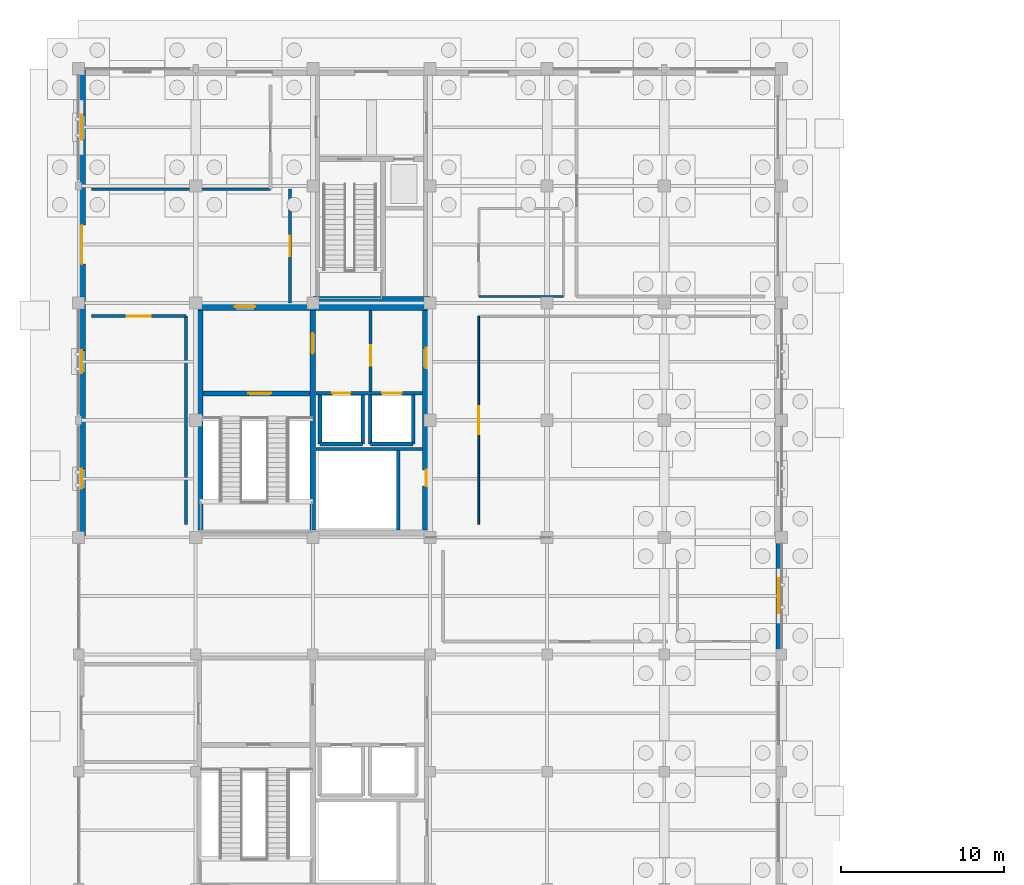
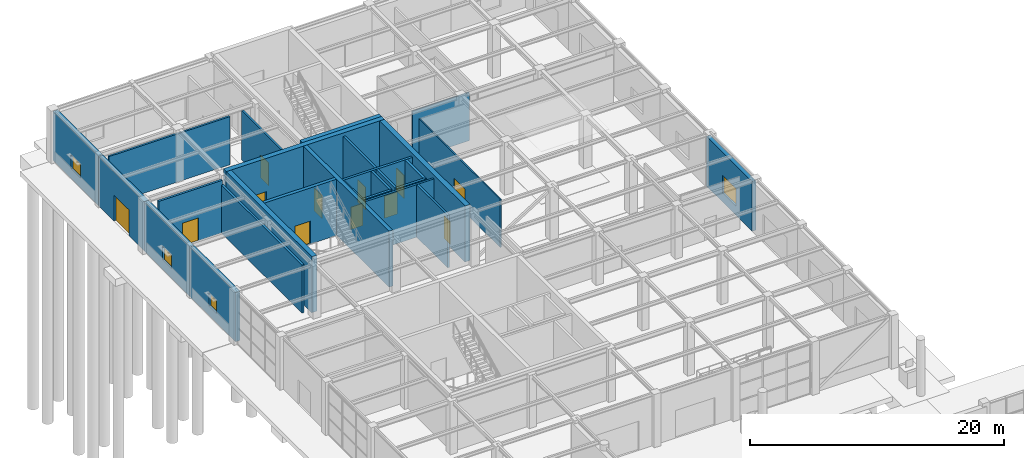
# One storey, part 60 of 75: 27 walls, 12 doors, 4 windows, 16 openings.
"""IFC4 building model written with IfcOpenShell, lengths in metres."""

from ifc_helpers import new_model, si_unit, direction, frame, frame_2d, origin, place, context, subcontext, project, spatial, rectangle, extrude, material, layer, layer_set, type_object, element, fill, save


model = new_model("IFC4")

# Units and contexts
model_context = context("Model", 3, precision=1e-05, world=origin(), true_north=direction((0.0, 1.0)))
body_context = subcontext(model_context, "Body", "Model", "MODEL_VIEW")
ifc_project = project(units=[si_unit("LENGTHUNIT", "METRE"), si_unit("AREAUNIT", "SQUARE_METRE"), si_unit("VOLUMEUNIT", "CUBIC_METRE"), si_unit("PLANEANGLEUNIT", "RADIAN"), si_unit("MASSUNIT", "GRAM", prefix="KILO")], contexts=[model_context])

# Site, building, storey
site_placement = place(None, origin())
site = spatial("IfcSite", under=ifc_project, at=site_placement, CompositionType="ELEMENT")
building_placement = place(site_placement, origin())
building = spatial("IfcBuilding", under=site, at=building_placement, Name="Leyfeld Transit Interchange", CompositionType="ELEMENT")
storey_placement = place(building_placement, origin())
storey = spatial("IfcBuildingStorey", under=building, at=storey_placement, Name="L00", CompositionType="ELEMENT", Elevation=0.0)

# Wall, opening, window
ifc_material_1 = material(Name="Clinker brick masonry - Insulated", Category="masonry")
ifc_layer_1 = layer(ifc_material_1, 0.340087890625, Name="Clinker brick masonry - Insulated")
ifc_layer_set_1 = layer_set([ifc_layer_1], Name="Clinker brick masonry - Insulated")
wall_type_1 = type_object("IfcWallType", Name="WL-EXT-BRK-340", PredefinedType="SOLIDWALL", material=ifc_layer_set_1)
wall_1_placement = place(storey_placement, frame((43.030029296875, 93.60009765625, 0.0), z_axis=(0.0, 0.0, 1.0), x_axis=(0.0, -1.0, 0.0)))
wall_1 = element("IfcWall", 1, at=wall_1_placement, inside=storey, type_object=wall_type_1, Name="External Facade Wall EW-L00-018", PredefinedType="SOLIDWALL", context=body_context, shape_type="SweptSolid", body=[
    extrude(rectangle(XDim=7.2001953125, YDim=0.340087890625, at=frame_2d((3.60009765625, 0.0))), origin(), (0.0, 0.0, 1.0), 4.7900390625),
])
opening_1_placement = place(wall_1_placement, frame((2.52490234375, 0.0, 0.89990234375)))
opening_1 = element("IfcOpeningElement", 2, at=opening_1_placement, cuts=wall_1, Name="Opening WU-10", PredefinedType="OPENING", context=body_context, shape_type="SweptSolid", body=[
    extrude(rectangle(XDim=2.14990234375, YDim=1.64990234375, at=frame_2d((1.074951171875, 0.824951171875))), frame((0.0, 0.179931640625, 0.0), z_axis=(0.0, -1.0, 0.0), x_axis=(1.0, 0.0, 0.0)), (0.0, 0.0, 1.0), 0.360107421875),
])
ifc_material_2 = material(Name="Triple low-E insulated glazing", Category="glass")
window_type_1 = type_object("IfcWindowType", Name="WIN-UNQ-10", PartitioningType="SINGLE_PANEL", PredefinedType="WINDOW", material=ifc_material_2)
window_1_placement = place(opening_1_placement, origin())
window_1 = element("IfcWindow", 3, at=window_1_placement, inside=storey, type_object=window_type_1, Name="Facade Window L00 010", OverallHeight=1.64990234375, OverallWidth=2.14990234375, PartitioningType="SINGLE_PANEL", PredefinedType="WINDOW", context=body_context, shape_type="SweptSolid", body=[
    extrude(rectangle(XDim=2.14990234375, YDim=1.64990234375, at=frame_2d((1.074951171875, 0.824951171875))), frame((0.0, 0.030029296875, 0.0), z_axis=(0.0, -1.0, 0.0), x_axis=(1.0, 0.0, 0.0)), (0.0, 0.0, 1.0), 0.06005859375),
])
fill(opening_1, window_1)

ifc_layer_2 = layer(ifc_material_1, 0.419921875, Name="Clinker brick masonry - Insulated")
ifc_layer_set_2 = layer_set([ifc_layer_2], Name="Clinker brick masonry - Insulated")
wall_type_2 = type_object("IfcWallType", Name="WL-EXT-BRK-420", PredefinedType="SOLIDWALL", material=ifc_layer_set_2)
wall_2_placement = place(storey_placement, frame((0.2099609375, 93.60009765625, 0.0), z_axis=(0.0, 0.0, 1.0), x_axis=(0.0, 1.0, 0.0)))
wall_2 = element("IfcWall", 4, at=wall_2_placement, inside=storey, type_object=wall_type_2, Name="External Facade Wall EW-L00-005", PredefinedType="SOLIDWALL", context=body_context, shape_type="SweptSolid", body=[
    extrude(rectangle(XDim=7.199951171875, YDim=0.419921875, at=frame_2d((3.60009765625, 0.0))), origin(), (0.0, 0.0, 1.0), 4.75),
])
opening_2_placement = place(wall_2_placement, frame((2.97509765625, 0.0, 0.89990234375)))
opening_2 = element("IfcOpeningElement", 5, at=opening_2_placement, cuts=wall_2, Name="Opening WU-02", PredefinedType="OPENING", context=body_context, shape_type="SweptSolid", body=[
    extrude(rectangle(XDim=1.25, YDim=1.25, at=frame_2d((0.625, 0.625))), frame((0.0, 0.219970703125, 0.0), z_axis=(0.0, -1.0, 0.0), x_axis=(1.0, 0.0, 0.0)), (0.0, 0.0, 1.0), 0.43994140625),
])
window_type_2 = type_object("IfcWindowType", Name="WIN-UNQ-02", PartitioningType="SINGLE_PANEL", PredefinedType="WINDOW", material=ifc_material_2)
window_2_placement = place(opening_2_placement, origin())
window_2 = element("IfcWindow", 6, at=window_2_placement, inside=storey, type_object=window_type_2, Name="Facade Window L00 002", OverallHeight=1.25, OverallWidth=1.25, PartitioningType="SINGLE_PANEL", PredefinedType="WINDOW", context=body_context, shape_type="SweptSolid", body=[
    extrude(rectangle(XDim=1.25, YDim=1.25, at=frame_2d((0.625, 0.625))), frame((0.0, 0.030029296875, 0.0), z_axis=(0.0, -1.0, 0.0), x_axis=(1.0, 0.0, 0.0)), (0.0, 0.0, 1.0), 0.06005859375),
])
fill(opening_2, window_2)

wall_3_placement = place(storey_placement, frame((0.2099609375, 100.800048828125, 0.0), z_axis=(0.0, 0.0, 1.0), x_axis=(0.0, 1.0, 0.0)))
wall_3 = element("IfcWall", 7, at=wall_3_placement, inside=storey, type_object=wall_type_2, Name="External Facade Wall EW-L00-006", PredefinedType="SOLIDWALL", context=body_context, shape_type="SweptSolid", body=[
    extrude(rectangle(XDim=7.199951171875, YDim=0.419921875, at=frame_2d((3.60009765625, 0.0))), origin(), (0.0, 0.0, 1.0), 4.75),
])
opening_3_placement = place(wall_3_placement, frame((2.89990234375, 0.0, 0.89990234375)))
opening_3 = element("IfcOpeningElement", 8, at=opening_3_placement, cuts=wall_3, Name="Opening WU-03", PredefinedType="OPENING", context=body_context, shape_type="SweptSolid", body=[
    extrude(rectangle(XDim=1.39990234375, YDim=1.300048828125, at=frame_2d((0.699951171875, 0.64990234375))), frame((0.0, 0.219970703125, 0.0), z_axis=(0.0, -1.0, 0.0), x_axis=(1.0, 0.0, 0.0)), (0.0, 0.0, 1.0), 0.43994140625),
])
window_type_3 = type_object("IfcWindowType", Name="WIN-UNQ-03", PartitioningType="SINGLE_PANEL", PredefinedType="WINDOW", material=ifc_material_2)
window_3_placement = place(opening_3_placement, origin())
window_3 = element("IfcWindow", 9, at=window_3_placement, inside=storey, type_object=window_type_3, Name="Facade Window L00 003", OverallHeight=1.300048828125, OverallWidth=1.39990234375, PartitioningType="SINGLE_PANEL", PredefinedType="WINDOW", context=body_context, shape_type="SweptSolid", body=[
    extrude(rectangle(XDim=1.39990234375, YDim=1.300048828125, at=frame_2d((0.699951171875, 0.64990234375))), frame((0.0, 0.030029296875, 0.0), z_axis=(0.0, -1.0, 0.0), x_axis=(1.0, 0.0, 0.0)), (0.0, 0.0, 1.0), 0.06005859375),
])
fill(opening_3, window_3)

# Wall, opening, door
wall_4_placement = place(storey_placement, frame((0.2099609375, 108.0, 0.0), z_axis=(0.0, 0.0, 1.0), x_axis=(0.0, 1.0, 0.0)))
wall_4 = element("IfcWall", 10, at=wall_4_placement, inside=storey, type_object=wall_type_2, Name="External Facade Wall EW-L00-007", PredefinedType="SOLIDWALL", context=body_context, shape_type="SweptSolid", body=[
    extrude(rectangle(XDim=7.199951171875, YDim=0.419921875, at=frame_2d((3.60009765625, 0.0))), origin(), (0.0, 0.0, 1.0), 4.75),
])
opening_4_placement = place(wall_4_placement, frame((2.39990234375, 0.0, 0.0)))
opening_4 = element("IfcOpeningElement", 11, at=opening_4_placement, cuts=wall_4, Name="Opening DE-01", PredefinedType="OPENING", context=body_context, shape_type="SweptSolid", body=[
    extrude(rectangle(XDim=2.39990234375, YDim=2.5, at=frame_2d((1.199951171875, 1.25))), frame((0.0, 0.219970703125, 0.0), z_axis=(0.0, -1.0, 0.0), x_axis=(1.0, 0.0, 0.0)), (0.0, 0.0, 1.0), 0.43994140625),
])
ifc_material_3 = material(Name="Anodised aluminium EN AW-6060 T66", Category="aluminium")
door_type_1 = type_object("IfcDoorType", Name="DR-EXT-DBL-2400x2500", OperationType="NOTDEFINED", PredefinedType="DOOR", material=ifc_material_3)
door_1_placement = place(opening_4_placement, origin())
door_1 = element("IfcDoor", 12, at=door_1_placement, inside=storey, type_object=door_type_1, Name="DR-EXT-L00-003", OperationType="DOUBLE_DOOR_SINGLE_SWING", OverallHeight=2.5, OverallWidth=2.39990234375, PredefinedType="DOOR", context=body_context, shape_type="SweptSolid", body=[
    extrude(rectangle(XDim=2.39990234375, YDim=2.5, at=frame_2d((1.199951171875, 1.25))), frame((0.0, 0.02490234375, 0.0), z_axis=(0.0, -1.0, 0.0), x_axis=(1.0, 0.0, 0.0)), (0.0, 0.0, 1.0), 0.050048828125),
])
fill(opening_4, door_1)

# Wall, opening, window
wall_5_placement = place(storey_placement, frame((0.2099609375, 115.199951171875, 0.0), z_axis=(0.0, 0.0, 1.0), x_axis=(0.0, 1.0, 0.0)))
wall_5 = element("IfcWall", 13, at=wall_5_placement, inside=storey, type_object=wall_type_2, Name="External Facade Wall EW-L00-008", PredefinedType="SOLIDWALL", context=body_context, shape_type="SweptSolid", body=[
    extrude(rectangle(XDim=7.199951171875, YDim=0.419921875, at=frame_2d((3.60009765625, 0.0))), origin(), (0.0, 0.0, 1.0), 4.75),
])
opening_5_placement = place(wall_5_placement, frame((2.824951171875, 0.0, 0.89990234375)))
opening_5 = element("IfcOpeningElement", 14, at=opening_5_placement, cuts=wall_5, Name="Opening WU-04", PredefinedType="OPENING", context=body_context, shape_type="SweptSolid", body=[
    extrude(rectangle(XDim=1.550048828125, YDim=1.35009765625, at=frame_2d((0.77490234375, 0.675048828125))), frame((0.0, 0.219970703125, 0.0), z_axis=(0.0, -1.0, 0.0), x_axis=(1.0, 0.0, 0.0)), (0.0, 0.0, 1.0), 0.43994140625),
])
window_type_4 = type_object("IfcWindowType", Name="WIN-UNQ-04", PartitioningType="SINGLE_PANEL", PredefinedType="WINDOW", material=ifc_material_2)
window_4_placement = place(opening_5_placement, origin())
window_4 = element("IfcWindow", 15, at=window_4_placement, inside=storey, type_object=window_type_4, Name="Facade Window L00 004", OverallHeight=1.35009765625, OverallWidth=1.550048828125, PartitioningType="SINGLE_PANEL", PredefinedType="WINDOW", context=body_context, shape_type="SweptSolid", body=[
    extrude(rectangle(XDim=1.550048828125, YDim=1.35009765625, at=frame_2d((0.77490234375, 0.675048828125))), frame((0.0, 0.030029296875, 0.0), z_axis=(0.0, -1.0, 0.0), x_axis=(1.0, 0.0, 0.0)), (0.0, 0.0, 1.0), 0.06005859375),
])
fill(opening_5, window_4)

# Wall, opening, door
ifc_material_4 = material(Name="Calcium silicate masonry", Category="masonry")
ifc_layer_3 = layer(ifc_material_4, 0.175048828125, Name="Calcium silicate masonry")
ifc_layer_set_3 = layer_set([ifc_layer_3], Name="Calcium silicate masonry")
wall_type_3 = type_object("IfcWallType", Name="WL-INT-COR-175", PredefinedType="PARTITIONING", material=ifc_layer_set_3)
wall_6_placement = place(storey_placement, frame((13.0, 115.0, 0.0), z_axis=(0.0, 0.0, 1.0), x_axis=(0.0, -1.0, 0.0)))
wall_6 = element("IfcWall", 16, at=wall_6_placement, inside=storey, type_object=wall_type_3, Name="Interior Partition L00-LOB-V5 E", PredefinedType="PARTITIONING", context=body_context, shape_type="SweptSolid", body=[
    extrude(rectangle(XDim=7.0, YDim=0.175048828125, at=frame_2d((3.5, 0.0))), origin(), (0.0, 0.0, 1.0), 4.75),
])
opening_6_placement = place(wall_6_placement, frame((2.875, 0.0, 0.0)))
opening_6 = element("IfcOpeningElement", 17, at=opening_6_placement, cuts=wall_6, Name="Opening DI-02", PredefinedType="OPENING", context=body_context, shape_type="SweptSolid", body=[
    extrude(rectangle(XDim=1.25, YDim=2.199951171875, at=frame_2d((0.625, 1.10009765625))), frame((0.0, 0.097412109375, 0.0), z_axis=(0.0, -1.0, 0.0), x_axis=(1.0, 0.0, 0.0)), (0.0, 0.0, 1.0), 0.195068359375),
])
ifc_material_5 = material(Name="Galvanised steel S275JR", Category="steel")
door_type_2 = type_object("IfcDoorType", Name="DR-FFL-1250x2200", OperationType="NOTDEFINED", PredefinedType="DOOR", material=ifc_material_5)
door_2_placement = place(opening_6_placement, origin())
door_2 = element("IfcDoor", 18, at=door_2_placement, inside=storey, type_object=door_type_2, Name="DR-L00-LOB-V5", OperationType="SINGLE_SWING_LEFT", OverallHeight=2.199951171875, OverallWidth=1.25, PredefinedType="DOOR", context=body_context, shape_type="SweptSolid", body=[
    extrude(rectangle(XDim=1.25, YDim=2.199951171875, at=frame_2d((0.625, 1.10009765625))), frame((0.0, 0.02490234375, 0.0), z_axis=(0.0, -1.0, 0.0), x_axis=(1.0, 0.0, 0.0)), (0.0, 0.0, 1.0), 0.050048828125),
])
fill(opening_6, door_2)

# Wall
wall_7_placement = place(storey_placement, frame((11.800048828125, 115.0, 0.0), z_axis=(0.0, 0.0, 1.0), x_axis=(-1.0, 0.0, 0.0)))
element("IfcWall", 19, at=wall_7_placement, inside=storey, type_object=wall_type_3, Name="Interior Partition L00-MED-01 S", PredefinedType="PARTITIONING", context=body_context, shape_type="SweptSolid", body=[
    extrude(rectangle(XDim=11.0, YDim=0.175048828125, at=frame_2d((5.5, 0.0))), origin(), (0.0, 0.0, 1.0), 4.6298828125),
])

# Wall, opening, door
ifc_material_6 = material(Name="Concrete C35/45", Category="concrete")
ifc_layer_4 = layer(ifc_material_6, 0.199951171875, Name="Concrete C35/45")
ifc_layer_set_4 = layer_set([ifc_layer_4], Name="Concrete C35/45")
wall_type_4 = type_object("IfcWallType", Name="WL-INT-FFL-200", PredefinedType="PARTITIONING", material=ifc_layer_set_4)
wall_8_placement = place(storey_placement, frame((17.949951171875, 102.56005859375, 0.0), z_axis=(0.0, 0.0, 1.0), x_axis=(0.0, 1.0, 0.0)))
wall_8 = element("IfcWall", 20, at=wall_8_placement, inside=storey, type_object=wall_type_4, Name="Core K1 Firefighting Lobby Compartment Wall L00", PredefinedType="PARTITIONING", context=body_context, shape_type="SweptSolid", body=[
    extrude(rectangle(XDim=4.989990234375, YDim=0.199951171875, at=frame_2d((2.4951171875, 0.0))), origin(), (0.0, 0.0, 1.0), 5.050048828125),
])
opening_7_placement = place(wall_8_placement, frame((1.60009765625, 0.0, 0.0)))
opening_7 = element("IfcOpeningElement", 21, at=opening_7_placement, cuts=wall_8, Name="Opening DI-02", PredefinedType="OPENING", context=body_context, shape_type="SweptSolid", body=[
    extrude(rectangle(XDim=1.25, YDim=2.199951171875, at=frame_2d((0.625, 1.10009765625))), frame((0.0, 0.10986328125, 0.0), z_axis=(0.0, -1.0, 0.0), x_axis=(1.0, 0.0, 0.0)), (0.0, 0.0, 1.0), 0.219970703125),
])
door_3_placement = place(opening_7_placement, origin())
door_3 = element("IfcDoor", 22, at=door_3_placement, inside=storey, type_object=door_type_2, Name="DR-FFL-CON-K1-L00", OperationType="SINGLE_SWING_RIGHT", OverallHeight=2.199951171875, OverallWidth=1.25, PredefinedType="DOOR", context=body_context, shape_type="SweptSolid", body=[
    extrude(rectangle(XDim=1.25, YDim=2.199951171875, at=frame_2d((0.625, 1.10009765625))), frame((0.0, 0.02490234375, 0.0), z_axis=(0.0, -1.0, 0.0), x_axis=(1.0, 0.0, 0.0)), (0.0, 0.0, 1.0), 0.050048828125),
])
fill(opening_7, door_3)

wall_9_placement = place(storey_placement, frame((0.800048828125, 107.199951171875, 0.0), z_axis=(0.0, 0.0, 1.0), x_axis=(1.0, 0.0, 0.0)))
wall_9 = element("IfcWall", 23, at=wall_9_placement, inside=storey, type_object=wall_type_4, Name="Interior Partition L00-FCC-01 N", PredefinedType="PARTITIONING", context=body_context, shape_type="SweptSolid", body=[
    extrude(rectangle(XDim=5.800048828125, YDim=0.199951171875, at=frame_2d((2.89990234375, 0.0))), origin(), (0.0, 0.0, 1.0), 5.050048828125),
])
opening_8_placement = place(wall_9_placement, frame((2.175048828125, 0.0, 0.0)))
opening_8 = element("IfcOpeningElement", 24, at=opening_8_placement, cuts=wall_9, Name="Opening DV-06", PredefinedType="OPENING", context=body_context, shape_type="SweptSolid", body=[
    extrude(rectangle(XDim=1.449951171875, YDim=2.199951171875, at=frame_2d((0.72509765625, 1.10009765625))), frame((0.0, 0.10986328125, 0.0), z_axis=(0.0, -1.0, 0.0), x_axis=(1.0, 0.0, 0.0)), (0.0, 0.0, 1.0), 0.219970703125),
])
ifc_material_7 = material(Name="Austrian larch glulam GL28h", Category="wood")
door_type_3 = type_object("IfcDoorType", Name="DR-VAR-06", OperationType="NOTDEFINED", PredefinedType="DOOR", material=ifc_material_7)
door_4_placement = place(opening_8_placement, origin())
door_4 = element("IfcDoor", 25, at=door_4_placement, inside=storey, type_object=door_type_3, Name="DR-L00-FCC-01", OperationType="SINGLE_SWING_RIGHT", OverallHeight=2.199951171875, OverallWidth=1.449951171875, PredefinedType="DOOR", context=body_context, shape_type="SweptSolid", body=[
    extrude(rectangle(XDim=1.449951171875, YDim=2.199951171875, at=frame_2d((0.72509765625, 1.10009765625))), frame((0.0, 0.02490234375, 0.0), z_axis=(0.0, -1.0, 0.0), x_axis=(1.0, 0.0, 0.0)), (0.0, 0.0, 1.0), 0.050048828125),
])
fill(opening_8, door_4)

# Wall
wall_10_placement = place(storey_placement, frame((6.60009765625, 107.199951171875, 0.0), z_axis=(0.0, 0.0, 1.0), x_axis=(0.0, -1.0, 0.0)))
element("IfcWall", 26, at=wall_10_placement, inside=storey, type_object=wall_type_4, Name="Interior Partition L00-FCC-01 E", PredefinedType="PARTITIONING", context=body_context, shape_type="SweptSolid", body=[
    extrude(rectangle(XDim=12.800048828125, YDim=0.199951171875, at=frame_2d((6.39990234375, 0.0))), origin(), (0.0, 0.0, 1.0), 4.6298828125),
])

# Wall, opening, door
ifc_material_8 = material(Name="Gypsum plasterboard acoustic stud", Category="gypsum")
ifc_layer_5 = layer(ifc_material_8, 0.114990234375, Name="Gypsum plasterboard acoustic stud")
ifc_layer_set_5 = layer_set([ifc_layer_5], Name="Gypsum plasterboard acoustic stud")
wall_type_5 = type_object("IfcWallType", Name="WL-INT-OFF-115", PredefinedType="PARTITIONING", material=ifc_layer_set_5)
wall_11_placement = place(storey_placement, frame((24.60009765625, 94.39990234375, 0.0), z_axis=(0.0, 0.0, 1.0), x_axis=(0.0, 1.0, 0.0)))
wall_11 = element("IfcWall", 27, at=wall_11_placement, inside=storey, type_object=wall_type_5, Name="Interior Partition L00-DRV-01 W", PredefinedType="PARTITIONING", context=body_context, shape_type="SweptSolid", body=[
    extrude(rectangle(XDim=12.800048828125, YDim=0.114990234375, at=frame_2d((6.39990234375, 0.0))), origin(), (0.0, 0.0, 1.0), 4.6298828125),
])
opening_9_placement = place(wall_11_placement, frame((5.52490234375, 0.0, 0.0)))
opening_9 = element("IfcOpeningElement", 28, at=opening_9_placement, cuts=wall_11, Name="Opening DV-08", PredefinedType="OPENING", context=body_context, shape_type="SweptSolid", body=[
    extrude(rectangle(XDim=1.75, YDim=2.25, at=frame_2d((0.875, 1.125))), frame((0.0, 0.0673828125, 0.0), z_axis=(0.0, -1.0, 0.0), x_axis=(1.0, 0.0, 0.0)), (0.0, 0.0, 1.0), 0.135009765625),
])
door_type_4 = type_object("IfcDoorType", Name="DR-VAR-08", OperationType="NOTDEFINED", PredefinedType="DOOR", material=ifc_material_7)
door_5_placement = place(opening_9_placement, origin())
door_5 = element("IfcDoor", 29, at=door_5_placement, inside=storey, type_object=door_type_4, Name="DR-L00-DRV-01", OperationType="DOUBLE_DOOR_SINGLE_SWING", OverallHeight=2.25, OverallWidth=1.75, PredefinedType="DOOR", context=body_context, shape_type="SweptSolid", body=[
    extrude(rectangle(XDim=1.75, YDim=2.25, at=frame_2d((0.875, 1.125))), frame((0.0, 0.02490234375, 0.0), z_axis=(0.0, -1.0, 0.0), x_axis=(1.0, 0.0, 0.0)), (0.0, 0.0, 1.0), 0.050048828125),
])
fill(opening_9, door_5)

# Walls
ifc_layer_6 = layer(ifc_material_4, 0.18994140625, Name="Calcium silicate masonry")
ifc_layer_set_6 = layer_set([ifc_layer_6], Name="Calcium silicate masonry")
wall_type_6 = type_object("IfcWallType", Name="WL-INT-PLT-190", PredefinedType="PARTITIONING", material=ifc_layer_set_6)
wall_12_placement = place(storey_placement, frame((14.580078125, 99.02001953125, 0.0), z_axis=(0.0, 0.0, 1.0), x_axis=(1.0, 0.0, 0.0)))
element("IfcWall", 30, at=wall_12_placement, inside=storey, type_object=wall_type_6, Name="Core K1 Riser Compartment Wall L00", PredefinedType="PARTITIONING", context=body_context, shape_type="SweptSolid", body=[
    extrude(rectangle(XDim=6.56982421875, YDim=0.18994140625, at=frame_2d((3.284912109375, 0.0))), origin(), (0.0, 0.0, 1.0), 5.050048828125),
])
wall_13_placement = place(storey_placement, frame((19.64990234375, 94.050048828125, 0.0), z_axis=(0.0, 0.0, 1.0), x_axis=(0.0, 1.0, 0.0)))
element("IfcWall", 31, at=wall_13_placement, inside=storey, type_object=wall_type_6, Name="Core K1 Riser Shaft East Wall L00", PredefinedType="PARTITIONING", context=body_context, shape_type="SweptSolid", body=[
    extrude(rectangle(XDim=4.8798828125, YDim=0.18994140625, at=frame_2d((2.43994140625, 0.0))), origin(), (0.0, 0.0, 1.0), 5.050048828125),
])

# Wall, openings, doors
ifc_layer_7 = layer(ifc_material_6, 0.219970703125, Name="Concrete C35/45")
ifc_layer_set_7 = layer_set([ifc_layer_7], Name="Concrete C35/45")
wall_type_7 = type_object("IfcWallType", Name="WL-INT-SHF-220", PredefinedType="PARTITIONING", material=ifc_layer_set_7)
wall_14_placement = place(storey_placement, frame((14.580078125, 102.449951171875, 0.0), z_axis=(0.0, 0.0, 1.0), x_axis=(1.0, 0.0, 0.0)))
wall_14 = element("IfcWall", 32, at=wall_14_placement, inside=storey, type_object=wall_type_7, Name="Core K1 Lift Shaft Front Wall L00", PredefinedType="PARTITIONING", context=body_context, shape_type="SweptSolid", body=[
    extrude(rectangle(XDim=6.56982421875, YDim=0.219970703125, at=frame_2d((3.284912109375, 0.0))), origin(), (0.0, 0.0, 1.0), 5.050048828125),
])
opening_10_placement = place(wall_14_placement, frame((1.02001953125, 0.0, 0.0)))
opening_10 = element("IfcOpeningElement", 33, at=opening_10_placement, cuts=wall_14, Name="Opening LD-01", PredefinedType="OPENING", context=body_context, shape_type="SweptSolid", body=[
    extrude(rectangle(XDim=1.10009765625, YDim=2.14990234375, at=frame_2d((0.550048828125, 1.074951171875))), frame((0.0, 0.119873046875, 0.0), z_axis=(0.0, -1.0, 0.0), x_axis=(1.0, 0.0, 0.0)), (0.0, 0.0, 1.0), 0.239990234375),
])
opening_11_placement = place(wall_14_placement, frame((4.070068359375, 0.0, 0.0)))
opening_11 = element("IfcOpeningElement", 34, at=opening_11_placement, cuts=wall_14, Name="Opening LD-02", PredefinedType="OPENING", context=body_context, shape_type="SweptSolid", body=[
    extrude(rectangle(XDim=1.199951171875, YDim=2.14990234375, at=frame_2d((0.60009765625, 1.074951171875))), frame((0.0, 0.119873046875, 0.0), z_axis=(0.0, -1.0, 0.0), x_axis=(1.0, 0.0, 0.0)), (0.0, 0.0, 1.0), 0.239990234375),
])
ifc_material_9 = material(Name="Stainless steel EN 1.4404", Category="steel")
door_type_5 = type_object("IfcDoorType", Name="DR-LD-FFL-1100x2150", OperationType="NOTDEFINED", PredefinedType="DOOR", material=ifc_material_9)
door_6_placement = place(opening_10_placement, origin())
door_6 = element("IfcDoor", 35, at=door_6_placement, inside=storey, type_object=door_type_5, Name="LD-FFL-1-L00", OperationType="DOUBLE_DOOR_SLIDING", OverallHeight=2.14990234375, OverallWidth=1.10009765625, PredefinedType="DOOR", context=body_context, shape_type="SweptSolid", body=[
    extrude(rectangle(XDim=1.10009765625, YDim=2.14990234375, at=frame_2d((0.550048828125, 1.074951171875))), frame((0.0, 0.02490234375, 0.0), z_axis=(0.0, -1.0, 0.0), x_axis=(1.0, 0.0, 0.0)), (0.0, 0.0, 1.0), 0.050048828125),
])
fill(opening_10, door_6)
door_type_6 = type_object("IfcDoorType", Name="DR-LD-PAS-1200x2150", OperationType="NOTDEFINED", PredefinedType="DOOR", material=ifc_material_9)
door_7_placement = place(opening_11_placement, origin())
door_7 = element("IfcDoor", 36, at=door_7_placement, inside=storey, type_object=door_type_6, Name="LD-PL-1-L00", OperationType="DOUBLE_DOOR_SLIDING", OverallHeight=2.14990234375, OverallWidth=1.199951171875, PredefinedType="DOOR", context=body_context, shape_type="SweptSolid", body=[
    extrude(rectangle(XDim=1.199951171875, YDim=2.14990234375, at=frame_2d((0.60009765625, 1.074951171875))), frame((0.0, 0.02490234375, 0.0), z_axis=(0.0, -1.0, 0.0), x_axis=(1.0, 0.0, 0.0)), (0.0, 0.0, 1.0), 0.050048828125),
])
fill(opening_11, door_7)

# Walls
wall_15_placement = place(storey_placement, frame((14.840087890625, 99.340087890625, 0.0), z_axis=(0.0, 0.0, 1.0), x_axis=(1.0, 0.0, 0.0)))
element("IfcWall", 37, at=wall_15_placement, inside=storey, type_object=wall_type_7, Name="Core K1 Lift FFL-1 Shaft Back Wall L00", PredefinedType="PARTITIONING", context=body_context, shape_type="SweptSolid", body=[
    extrude(rectangle(XDim=2.619873046875, YDim=0.219970703125, at=frame_2d((1.31005859375, 0.0))), origin(), (0.0, 0.0, 1.0), 5.050048828125),
])
for number, where, z_axis, x_axis, name in (
    (38, (14.840087890625, 99.340087890625, 0.0), (0.0, 0.0, 1.0), (0.0, 1.0, 0.0), "Core K1 Lift FFL-1 Shaft Wall W L00"),
    (39, (17.4599609375, 99.340087890625, 0.0), (0.0, 0.0, 1.0), (0.0, 1.0, 0.0), "Core K1 Lift FFL-1 Shaft Wall E L00"),
):
    element("IfcWall", number, at=place(storey_placement, frame(where, z_axis=z_axis, x_axis=x_axis)), inside=storey, type_object=wall_type_7, Name=name, PredefinedType="PARTITIONING", context=body_context, shape_type="SweptSolid", body=[
        extrude(rectangle(XDim=3.0, YDim=0.219970703125, at=frame_2d((1.5, 0.0))), origin(), (0.0, 0.0, 1.0), 5.050048828125),
    ])
wall_16_placement = place(storey_placement, frame((17.93994140625, 99.340087890625, 0.0), z_axis=(0.0, 0.0, 1.0), x_axis=(1.0, 0.0, 0.0)))
element("IfcWall", 40, at=wall_16_placement, inside=storey, type_object=wall_type_7, Name="Core K1 Lift PL-1 Shaft Back Wall L00", PredefinedType="PARTITIONING", context=body_context, shape_type="SweptSolid", body=[
    extrude(rectangle(XDim=2.6201171875, YDim=0.219970703125, at=frame_2d((1.31005859375, 0.0))), origin(), (0.0, 0.0, 1.0), 5.050048828125),
])
for number, where, z_axis, x_axis, name in (
    (41, (17.93994140625, 99.340087890625, 0.0), (0.0, 0.0, 1.0), (0.0, 1.0, 0.0), "Core K1 Lift PL-1 Shaft Wall W L00"),
    (42, (20.56005859375, 99.340087890625, 0.0), (0.0, 0.0, 1.0), (0.0, 1.0, 0.0), "Core K1 Lift PL-1 Shaft Wall E L00"),
):
    element("IfcWall", number, at=place(storey_placement, frame(where, z_axis=z_axis, x_axis=x_axis)), inside=storey, type_object=wall_type_7, Name=name, PredefinedType="PARTITIONING", context=body_context, shape_type="SweptSolid", body=[
        extrude(rectangle(XDim=3.0, YDim=0.219970703125, at=frame_2d((1.5, 0.0))), origin(), (0.0, 0.0, 1.0), 5.050048828125),
    ])
ifc_material_10 = material(Name="Autoclaved aerated blockwork G4", Category="masonry")
ifc_layer_8 = layer(ifc_material_10, 0.125, Name="Autoclaved aerated blockwork G4")
ifc_layer_set_8 = layer_set([ifc_layer_8], Name="Autoclaved aerated blockwork G4")
wall_type_8 = type_object("IfcWallType", Name="WL-INT-WC-125", PredefinedType="PARTITIONING", material=ifc_layer_set_8)
wall_17_placement = place(storey_placement, frame((29.800048828125, 108.39990234375, 0.0), z_axis=(0.0, 0.0, 1.0), x_axis=(-1.0, 0.0, 0.0)))
element("IfcWall", 43, at=wall_17_placement, inside=storey, type_object=wall_type_8, Name="Interior Partition L00-WCA-04 S", PredefinedType="PARTITIONING", context=body_context, shape_type="SweptSolid", body=[
    extrude(rectangle(XDim=5.199951171875, YDim=0.125, at=frame_2d((2.60009765625, 0.0))), origin(), (0.0, 0.0, 1.0), 4.6298828125),
])

# Wall, opening, door
ifc_layer_9 = layer(ifc_material_6, 0.300048828125, Name="Concrete C35/45")
ifc_layer_set_9 = layer_set([ifc_layer_9], Name="Concrete C35/45")
wall_type_9 = type_object("IfcWallType", Name="WL-SH-300", PredefinedType="SHEAR", material=ifc_layer_set_9)
wall_18_placement = place(storey_placement, frame((7.64990234375, 102.449951171875, 0.0), z_axis=(0.0, 0.0, 1.0), x_axis=(1.0, 0.0, 0.0)))
wall_18 = element("IfcWall", 44, at=wall_18_placement, inside=storey, type_object=wall_type_9, Name="Core K1 Shear Wall STRN L00", PredefinedType="SHEAR", context=body_context, shape_type="SweptSolid", body=[
    extrude(rectangle(XDim=6.5751953125, YDim=0.300048828125, at=frame_2d((3.28759765625, 0.0))), origin(), (0.0, 0.0, 1.0), 5.39990234375),
])
opening_12_placement = place(wall_18_placement, frame((2.78759765625, 0.0, 0.0)))
opening_12 = element("IfcOpeningElement", 45, at=opening_12_placement, cuts=wall_18, Name="Opening DI-01", PredefinedType="OPENING", context=body_context, shape_type="SweptSolid", body=[
    extrude(rectangle(XDim=1.39990234375, YDim=2.199951171875, at=frame_2d((0.699951171875, 1.10009765625))), frame((0.0, 0.159912109375, 0.0), z_axis=(0.0, -1.0, 0.0), x_axis=(1.0, 0.0, 0.0)), (0.0, 0.0, 1.0), 0.320068359375),
])
door_type_7 = type_object("IfcDoorType", Name="DR-STR-1400x2200", OperationType="NOTDEFINED", PredefinedType="DOOR", material=ifc_material_5)
door_8_placement = place(opening_12_placement, origin())
door_8 = element("IfcDoor", 46, at=door_8_placement, inside=storey, type_object=door_type_7, Name="DR-STR-INT-K1-L00", OperationType="SINGLE_SWING_LEFT", OverallHeight=2.199951171875, OverallWidth=1.39990234375, PredefinedType="DOOR", context=body_context, shape_type="SweptSolid", body=[
    extrude(rectangle(XDim=1.39990234375, YDim=2.199951171875, at=frame_2d((0.699951171875, 1.10009765625))), frame((0.0, 0.02490234375, 0.0), z_axis=(0.0, -1.0, 0.0), x_axis=(1.0, 0.0, 0.0)), (0.0, 0.0, 1.0), 0.050048828125),
])
fill(opening_12, door_8)

ifc_layer_10 = layer(ifc_material_6, 0.35009765625, Name="Concrete C35/45")
ifc_layer_set_10 = layer_set([ifc_layer_10], Name="Concrete C35/45")
wall_type_10 = type_object("IfcWallType", Name="WL-SH-350", PredefinedType="SHEAR", material=ifc_layer_set_10)
wall_19_placement = place(storey_placement, frame((14.39990234375, 107.550048828125, 0.0), z_axis=(0.0, 0.0, 1.0), x_axis=(0.0, -1.0, 0.0)))
wall_19 = element("IfcWall", 47, at=wall_19_placement, inside=storey, type_object=wall_type_10, Name="Core K1 Shear Wall MID L00", PredefinedType="SHEAR", context=body_context, shape_type="SweptSolid", body=[
    extrude(rectangle(XDim=13.5, YDim=0.35009765625, at=frame_2d((6.75, 0.0))), origin(), (0.0, 0.0, 1.0), 5.39990234375),
])
opening_13_placement = place(wall_19_placement, frame((1.39990234375, 0.0, 0.0)))
opening_13 = element("IfcOpeningElement", 48, at=opening_13_placement, cuts=wall_19, Name="Opening DI-02", PredefinedType="OPENING", context=body_context, shape_type="SweptSolid", body=[
    extrude(rectangle(XDim=1.25, YDim=2.199951171875, at=frame_2d((0.625, 1.10009765625))), frame((0.0, 0.18505859375, 0.0), z_axis=(0.0, -1.0, 0.0), x_axis=(1.0, 0.0, 0.0)), (0.0, 0.0, 1.0), 0.3701171875),
])
door_9_placement = place(opening_13_placement, origin())
door_9 = element("IfcDoor", 49, at=door_9_placement, inside=storey, type_object=door_type_2, Name="DR-CORE-MID-K1-L00", OperationType="SINGLE_SWING_RIGHT", OverallHeight=2.199951171875, OverallWidth=1.25, PredefinedType="DOOR", context=body_context, shape_type="SweptSolid", body=[
    extrude(rectangle(XDim=1.25, YDim=2.199951171875, at=frame_2d((0.625, 1.10009765625))), frame((0.0, 0.02490234375, 0.0), z_axis=(0.0, -1.0, 0.0), x_axis=(1.0, 0.0, 0.0)), (0.0, 0.0, 1.0), 0.050048828125),
])
fill(opening_13, door_9)

# Wall
ifc_layer_11 = layer(ifc_material_6, 0.39990234375, Name="Concrete C35/45")
ifc_layer_set_11 = layer_set([ifc_layer_11], Name="Concrete C35/45")
wall_type_11 = type_object("IfcWallType", Name="WL-SH-400", PredefinedType="SHEAR", material=ifc_layer_set_11)
wall_20_placement = place(storey_placement, frame((21.60009765625, 108.199951171875, 0.0), z_axis=(0.0, 0.0, 1.0), x_axis=(-1.0, 0.0, 0.0)))
element("IfcWall", 50, at=wall_20_placement, inside=storey, type_object=wall_type_11, Name="Core K2 Shear Wall S L00", PredefinedType="SHEAR", context=body_context, shape_type="SweptSolid", body=[
    extrude(rectangle(XDim=7.2001953125, YDim=0.39990234375, at=frame_2d((3.60009765625, 0.0))), origin(), (0.0, 0.0, 1.0), 5.39990234375),
])

# Wall, opening, door
ifc_layer_12 = layer(ifc_material_6, 0.449951171875, Name="Concrete C35/45")
ifc_layer_set_12 = layer_set([ifc_layer_12], Name="Concrete C35/45")
wall_type_12 = type_object("IfcWallType", Name="WL-SH-450", PredefinedType="SHEAR", material=ifc_layer_set_12)
wall_21_placement = place(storey_placement, frame((7.199951171875, 107.77490234375, 0.0), z_axis=(0.0, 0.0, 1.0), x_axis=(1.0, 0.0, 0.0)))
wall_21 = element("IfcWall", 51, at=wall_21_placement, inside=storey, type_object=wall_type_12, Name="Core K1 Shear Wall N L00", PredefinedType="SHEAR", context=body_context, shape_type="SweptSolid", body=[
    extrude(rectangle(XDim=14.400146484375, YDim=0.449951171875, at=frame_2d((7.2001953125, 0.0))), origin(), (0.0, 0.0, 1.0), 5.39990234375),
])
opening_14_placement = place(wall_21_placement, frame((2.39990234375, 0.0, 0.0)))
opening_14 = element("IfcOpeningElement", 52, at=opening_14_placement, cuts=wall_21, Name="Opening DI-02", PredefinedType="OPENING", context=body_context, shape_type="SweptSolid", body=[
    extrude(rectangle(XDim=1.25, YDim=2.199951171875, at=frame_2d((0.625, 1.10009765625))), frame((0.0, 0.23486328125, 0.0), z_axis=(0.0, -1.0, 0.0), x_axis=(1.0, 0.0, 0.0)), (0.0, 0.0, 1.0), 0.469970703125),
])
door_10_placement = place(opening_14_placement, origin())
door_10 = element("IfcDoor", 53, at=door_10_placement, inside=storey, type_object=door_type_2, Name="DR-CORE-OUT-K1-L00-N", OperationType="SINGLE_SWING_LEFT", OverallHeight=2.199951171875, OverallWidth=1.25, PredefinedType="DOOR", context=body_context, shape_type="SweptSolid", body=[
    extrude(rectangle(XDim=1.25, YDim=2.199951171875, at=frame_2d((0.625, 1.10009765625))), frame((0.0, 0.02490234375, 0.0), z_axis=(0.0, -1.0, 0.0), x_axis=(1.0, 0.0, 0.0)), (0.0, 0.0, 1.0), 0.050048828125),
])
fill(opening_14, door_10)

# Wall, openings, doors
wall_22_placement = place(storey_placement, frame((21.375, 107.550048828125, 0.0), z_axis=(0.0, 0.0, 1.0), x_axis=(0.0, -1.0, 0.0)))
wall_22 = element("IfcWall", 54, at=wall_22_placement, inside=storey, type_object=wall_type_12, Name="Core K1 Shear Wall E L00", PredefinedType="SHEAR", context=body_context, shape_type="SweptSolid", body=[
    extrude(rectangle(XDim=13.5, YDim=0.449951171875, at=frame_2d((6.75, 0.0))), origin(), (0.0, 0.0, 1.0), 5.39990234375),
])
opening_15_placement = place(wall_22_placement, frame((9.800048828125, 0.0, 0.0)))
opening_15 = element("IfcOpeningElement", 55, at=opening_15_placement, cuts=wall_22, Name="Opening DI-05", PredefinedType="OPENING", context=body_context, shape_type="SweptSolid", body=[
    extrude(rectangle(XDim=1.0, YDim=2.14990234375, at=frame_2d((0.5, 1.074951171875))), frame((0.0, 0.23486328125, 0.0), z_axis=(0.0, -1.0, 0.0), x_axis=(1.0, 0.0, 0.0)), (0.0, 0.0, 1.0), 0.469970703125),
])
opening_16_placement = place(wall_22_placement, frame((2.300048828125, 0.0, 0.0)))
opening_16 = element("IfcOpeningElement", 56, at=opening_16_placement, cuts=wall_22, Name="Opening DI-02", PredefinedType="OPENING", context=body_context, shape_type="SweptSolid", body=[
    extrude(rectangle(XDim=1.25, YDim=2.199951171875, at=frame_2d((0.625, 1.10009765625))), frame((0.0, 0.23486328125, 0.0), z_axis=(0.0, -1.0, 0.0), x_axis=(1.0, 0.0, 0.0)), (0.0, 0.0, 1.0), 0.469970703125),
])
door_11_placement = place(opening_16_placement, origin())
door_11 = element("IfcDoor", 57, at=door_11_placement, inside=storey, type_object=door_type_2, Name="DR-CORE-OUT-K1-L00-E", OperationType="SINGLE_SWING_RIGHT", OverallHeight=2.199951171875, OverallWidth=1.25, PredefinedType="DOOR", context=body_context, shape_type="SweptSolid", body=[
    extrude(rectangle(XDim=1.25, YDim=2.199951171875, at=frame_2d((0.625, 1.10009765625))), frame((0.0, 0.02490234375, 0.0), z_axis=(0.0, -1.0, 0.0), x_axis=(1.0, 0.0, 0.0)), (0.0, 0.0, 1.0), 0.050048828125),
])
fill(opening_16, door_11)
door_type_8 = type_object("IfcDoorType", Name="DR-OFF-1000x2150", OperationType="NOTDEFINED", PredefinedType="DOOR", material=ifc_material_7)
door_12_placement = place(opening_15_placement, origin())
door_12 = element("IfcDoor", 58, at=door_12_placement, inside=storey, type_object=door_type_8, Name="DR-RSR-K1-L00", OperationType="SINGLE_SWING_LEFT", OverallHeight=2.14990234375, OverallWidth=1.0, PredefinedType="DOOR", context=body_context, shape_type="SweptSolid", body=[
    extrude(rectangle(XDim=1.0, YDim=2.14990234375, at=frame_2d((0.5, 1.074951171875))), frame((0.0, 0.02490234375, 0.0), z_axis=(0.0, -1.0, 0.0), x_axis=(1.0, 0.0, 0.0)), (0.0, 0.0, 1.0), 0.050048828125),
])
fill(opening_15, door_12)

# Wall
wall_23_placement = place(storey_placement, frame((7.425048828125, 94.050048828125, 0.0), z_axis=(0.0, 0.0, 1.0), x_axis=(0.0, 1.0, 0.0)))
element("IfcWall", 59, at=wall_23_placement, inside=storey, type_object=wall_type_12, Name="Core K1 Shear Wall W L00", PredefinedType="SHEAR", context=body_context, shape_type="SweptSolid", body=[
    extrude(rectangle(XDim=13.5, YDim=0.449951171875, at=frame_2d((6.75, 0.0))), origin(), (0.0, 0.0, 1.0), 5.39990234375),
])

save(model, "model.ifc")
